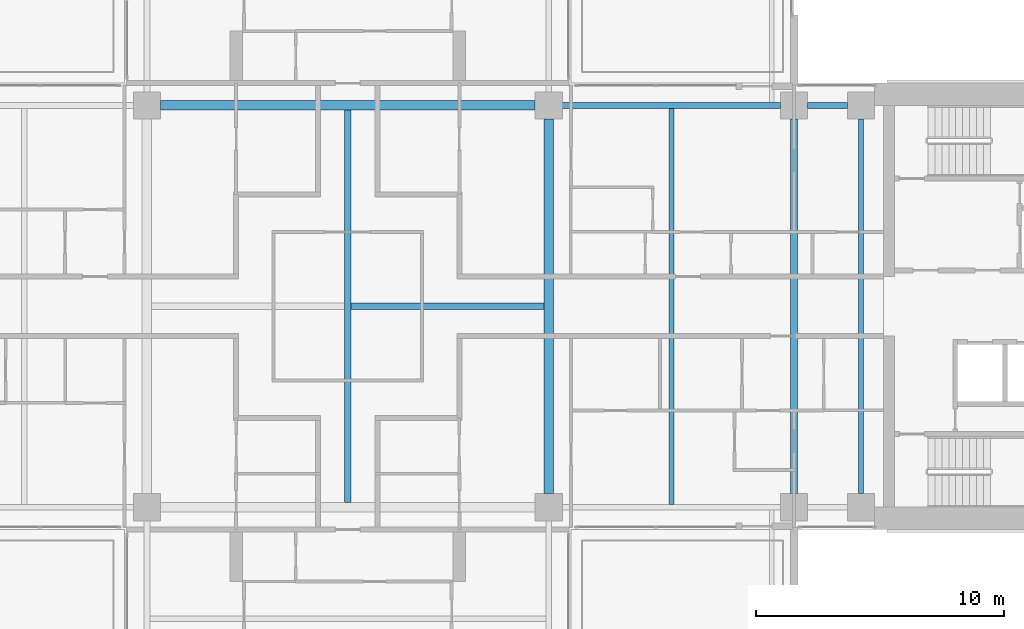
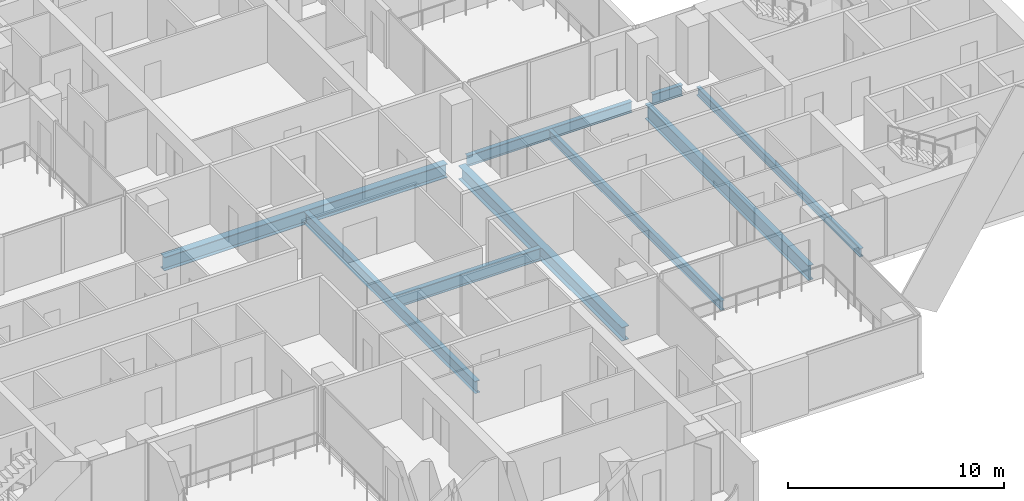
# One storey, part 4 of 19: 9 beams.
"""IFC4 building model written with IfcOpenShell, lengths in metres."""

from ifc_helpers import new_model, si_unit, direction, frame, origin, origin_2d, place, context, subcontext, project, spatial, i_section, extrude, material, material_profile, profile_set, type_object, element, save


model = new_model("IFC4")

# Units and contexts
model_context = context("Model", 3, precision=1e-05, world=origin(), true_north=direction((0.0, 1.0)))
body_context = subcontext(model_context, "Body", "Model", "MODEL_VIEW")
ifc_project = project(units=[si_unit("LENGTHUNIT", "METRE"), si_unit("AREAUNIT", "SQUARE_METRE"), si_unit("VOLUMEUNIT", "CUBIC_METRE"), si_unit("PLANEANGLEUNIT", "RADIAN"), si_unit("MASSUNIT", "GRAM", prefix="KILO")], contexts=[model_context])

# Site, building, storey
site_placement = place(None, origin())
site = spatial("IfcSite", under=ifc_project, at=site_placement, CompositionType="ELEMENT")
building_placement = place(site_placement, origin())
building = spatial("IfcBuilding", under=site, at=building_placement, Name="Perihelion Cross Residences", CompositionType="ELEMENT")
storey_placement = place(building_placement, frame((0.0, 0.0, 147.89990234375)))
storey = spatial("IfcBuildingStorey", under=building, at=storey_placement, Name="L36", CompositionType="ELEMENT", Elevation=147.89990234375)

# Beams
ifc_material_1 = material(Name="Steel S355", Category="steel")
ifc_material_profile_1 = material_profile(ifc_material_1, i_section(OverallWidth=0.194091796875, OverallDepth=0.469970703125, WebThickness=0.0126953125, FlangeThickness=0.0205078125, at=origin_2d()), Name="W460x106")
ifc_profile_set_1 = profile_set([ifc_material_profile_1], Name="Steel S355")
beam_type_1 = type_object("IfcBeamType", Name="Core edge beam W460x106", PredefinedType="BEAM", material=ifc_profile_set_1)
beam_1_placement = place(storey_placement, frame((20.699951171875, -7.550048828125, -0.48486328125), z_axis=(0.0, 1.0, 0.0), x_axis=(-1.0, 0.0, 0.0)))
element("IfcBeam", 1, at=beam_1_placement, inside=storey, type_object=beam_type_1, Name="Core edge beam TB5 L36 no. 2", PredefinedType="BEAM", context=body_context, shape_type="SweptSolid", body=[
    extrude(i_section(OverallWidth=0.194091796875, OverallDepth=0.469970703125, WebThickness=0.0126953125, FlangeThickness=0.0205078125, at=origin_2d()), origin(), (0.0, 0.0, 1.0), 15.10009765625),
])
ifc_material_2 = material(Name="Steel S355", Category="steel")
ifc_material_profile_2 = material_profile(ifc_material_2, i_section(OverallWidth=0.22900390625, OverallDepth=0.612060546875, WebThickness=0.011962890625, FlangeThickness=0.01953125, at=origin_2d()), Name="W610x125")
ifc_profile_set_2 = profile_set([ifc_material_profile_2], Name="Steel S355")
beam_type_2 = type_object("IfcBeamType", Name="Edge beam W610x125", PredefinedType="SPANDREL", material=ifc_profile_set_2)
beam_2_placement = place(storey_placement, frame((20.14990234375, 8.10009765625, -0.555908203125), z_axis=(-1.0, 0.0, 0.0), x_axis=(0.0, -1.0, 0.0)))
element("IfcBeam", 2, at=beam_2_placement, inside=storey, type_object=beam_type_2, Name="Edge beam SB3 L36 no. 13", PredefinedType="SPANDREL", context=body_context, shape_type="SweptSolid", body=[
    extrude(i_section(OverallWidth=0.22900390625, OverallDepth=0.612060546875, WebThickness=0.011962890625, FlangeThickness=0.01953125, at=origin_2d()), origin(), (0.0, 0.0, 1.0), 1.599853515625),
])
beam_3_placement = place(storey_placement, frame((17.449951171875, 8.10009765625, -0.555908203125), z_axis=(-1.0, 0.0, 0.0), x_axis=(0.0, -1.0, 0.0)))
element("IfcBeam", 3, at=beam_3_placement, inside=storey, type_object=beam_type_2, Name="Edge beam SB3 L36 no. 12", PredefinedType="SPANDREL", context=body_context, shape_type="SweptSolid", body=[
    extrude(i_section(OverallWidth=0.22900390625, OverallDepth=0.612060546875, WebThickness=0.011962890625, FlangeThickness=0.01953125, at=origin_2d()), origin(), (0.0, 0.0, 1.0), 8.800048828125),
])
ifc_material_3 = material(Name="Steel S355", Category="steel")
ifc_material_profile_3 = material_profile(ifc_material_3, i_section(OverallWidth=0.2919921875, OverallDepth=0.8359375, WebThickness=0.013916015625, FlangeThickness=0.018798828125, at=origin_2d()), Name="W840x176")
ifc_profile_set_3 = profile_set([ifc_material_profile_3], Name="Steel S355")
beam_type_3 = type_object("IfcBeamType", Name="Floor girder W840x176", PredefinedType="BEAM", material=ifc_profile_set_3)
beam_4_placement = place(storey_placement, frame((18.0, -7.550048828125, -0.66796875), z_axis=(0.0, 1.0, 0.0), x_axis=(-1.0, 0.0, 0.0)))
element("IfcBeam", 4, at=beam_4_placement, inside=storey, type_object=beam_type_3, Name="Girder G3 L36 no. 2", PredefinedType="BEAM", context=body_context, shape_type="SweptSolid", body=[
    extrude(i_section(OverallWidth=0.2919921875, OverallDepth=0.8359375, WebThickness=0.013916015625, FlangeThickness=0.018798828125, at=origin_2d()), origin(), (0.0, 0.0, 1.0), 15.10009765625),
])
ifc_material_4 = material(Name="Steel S355", Category="steel")
ifc_material_profile_4 = material_profile(ifc_material_4, i_section(OverallWidth=0.208984375, OverallDepth=0.532958984375, WebThickness=0.01025390625, FlangeThickness=0.015625, at=origin_2d()), Name="W530x92")
ifc_profile_set_4 = profile_set([ifc_material_profile_4], Name="Steel S355")
beam_type_4 = type_object("IfcBeamType", Name="Floor joist W530x92", PredefinedType="JOIST", material=ifc_profile_set_4)
beam_5_placement = place(storey_placement, frame((13.050048828125, -7.985595703125, -0.516357421875), z_axis=(0.0, 1.0, 0.0), x_axis=(-1.0, 0.0, 0.0)))
element("IfcBeam", 5, at=beam_5_placement, inside=storey, type_object=beam_type_4, Name="Joist J4 L36 no. 2", PredefinedType="JOIST", context=body_context, shape_type="SweptSolid", body=[
    extrude(i_section(OverallWidth=0.208984375, OverallDepth=0.532958984375, WebThickness=0.01025390625, FlangeThickness=0.015625, at=origin_2d()), origin(), (0.0, 0.0, 1.0), 15.97119140625),
])
ifc_material_5 = material(Name="Steel S355", Category="steel")
ifc_material_profile_5 = material_profile(ifc_material_5, i_section(OverallWidth=0.257080078125, OverallDepth=0.693115234375, WebThickness=0.014404296875, FlangeThickness=0.023681640625, at=origin_2d()), Name="W690x170")
ifc_profile_set_5 = profile_set([ifc_material_profile_5], Name="Steel S355")
beam_type_5 = type_object("IfcBeamType", Name="Hub cross beam W690x170", PredefinedType="BEAM", material=ifc_profile_set_5)
beam_6_placement = place(storey_placement, frame((0.0, -7.909423828125, -0.596435546875), z_axis=(0.0, 1.0, 0.0), x_axis=(-1.0, 0.0, 0.0)))
element("IfcBeam", 6, at=beam_6_placement, inside=storey, type_object=beam_type_5, Name="Hub cross beam XB3 L36 no. 1", PredefinedType="BEAM", context=body_context, shape_type="SweptSolid", body=[
    extrude(i_section(OverallWidth=0.257080078125, OverallDepth=0.693115234375, WebThickness=0.014404296875, FlangeThickness=0.023681640625, at=origin_2d()), origin(), (0.0, 0.0, 1.0), 15.81884765625),
])
beam_7_placement = place(storey_placement, frame((0.12841796875, 0.0, -0.596435546875), z_axis=(1.0, 0.0, 0.0), x_axis=(0.0, 1.0, 0.0)))
element("IfcBeam", 7, at=beam_7_placement, inside=storey, type_object=beam_type_5, Name="Hub cross beam XB3 L36 2 no. 1", PredefinedType="BEAM", context=body_context, shape_type="SweptSolid", body=[
    extrude(i_section(OverallWidth=0.257080078125, OverallDepth=0.693115234375, WebThickness=0.014404296875, FlangeThickness=0.023681640625, at=origin_2d()), origin(), (0.0, 0.0, 1.0), 7.781005859375),
])
ifc_material_6 = material(Name="Steel S355", Category="steel")
ifc_material_profile_6 = material_profile(ifc_material_6, i_section(OverallWidth=0.381103515625, OverallDepth=0.77197265625, WebThickness=0.0166015625, FlangeThickness=0.027099609375, at=origin_2d()), Name="W760x257")
ifc_profile_set_6 = profile_set([ifc_material_profile_6], Name="Steel S355")
beam_type_6 = type_object("IfcBeamType", Name="Hub ring girder W760x257", PredefinedType="BEAM", material=ifc_profile_set_6)
for number, where, z_axis, x_axis, name in (
    (8, (8.10009765625, -7.550048828125, -0.635986328125), (0.0, 1.0, 0.0), (-1.0, 0.0, 0.0), "Hub ring girder RG3 L36 no. 3"),
    (9, (7.550048828125, 8.10009765625, -0.635986328125), (-1.0, 0.0, 0.0), (0.0, -1.0, 0.0), "Hub ring girder RG3 L36 no. 4"),
):
    element("IfcBeam", number, at=place(storey_placement, frame(where, z_axis=z_axis, x_axis=x_axis)), inside=storey, type_object=beam_type_6, Name=name, PredefinedType="BEAM", context=body_context, shape_type="SweptSolid", body=[
        extrude(i_section(OverallWidth=0.381103515625, OverallDepth=0.77197265625, WebThickness=0.0166015625, FlangeThickness=0.027099609375, at=origin_2d()), origin(), (0.0, 0.0, 1.0), 15.10009765625),
    ])

save(model, "model.ifc")
